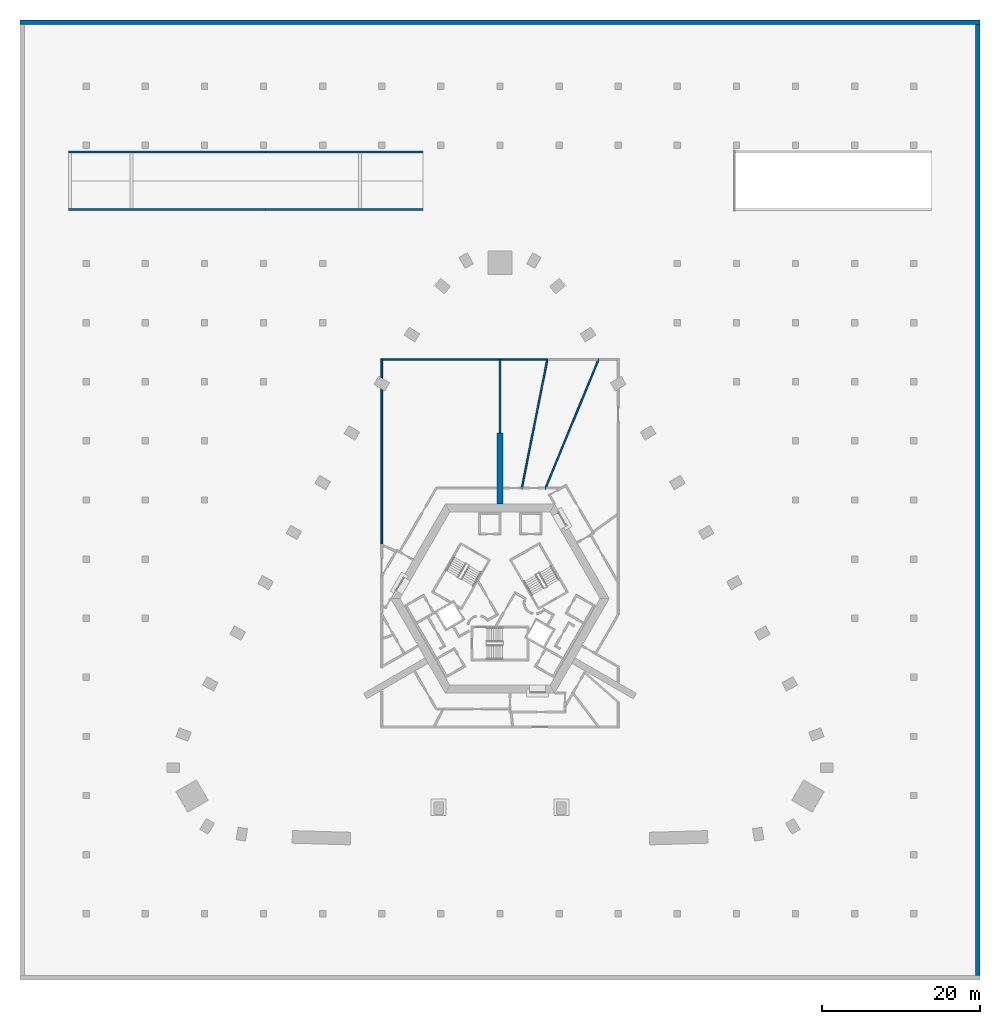
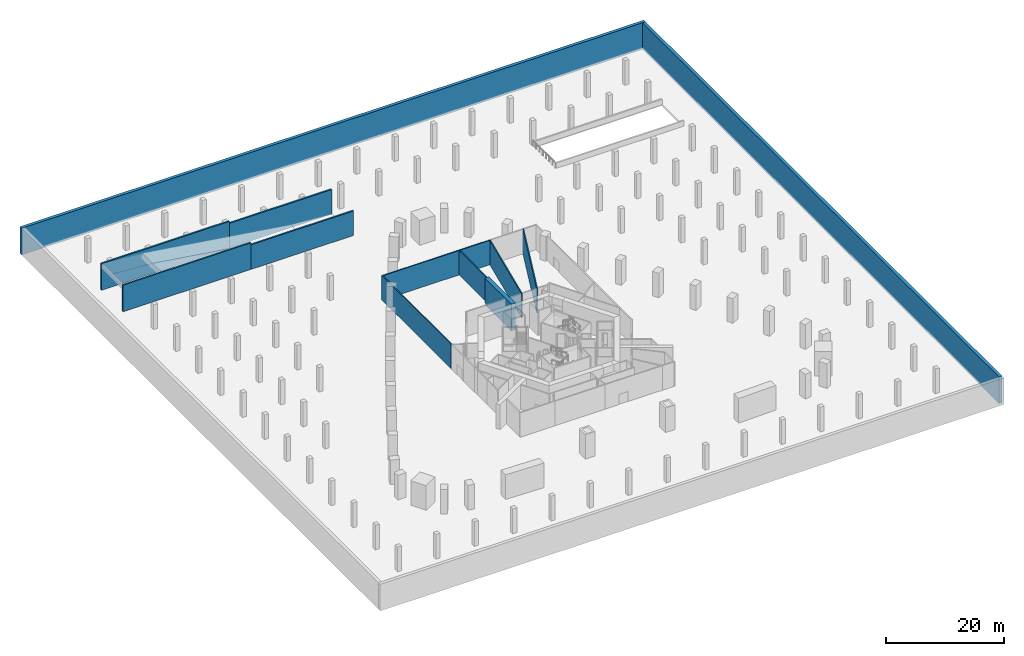
# One storey, part 7 of 12: 13 walls.
"""IFC4 building model written with IfcOpenShell, lengths in metres."""

from ifc_helpers import new_model, si_unit, direction, frame, frame_2d, origin, place, context, subcontext, project, spatial, polyline, rectangle, outline, extrude, material, layer, layer_set, type_object, element, save


model = new_model("IFC4")

# Units and contexts
model_context = context("Model", 3, precision=1e-05, world=origin(), true_north=direction((0.0, 1.0)))
body_context = subcontext(model_context, "Body", "Model", "MODEL_VIEW")
ifc_project = project(units=[si_unit("LENGTHUNIT", "METRE"), si_unit("AREAUNIT", "SQUARE_METRE"), si_unit("VOLUMEUNIT", "CUBIC_METRE"), si_unit("PLANEANGLEUNIT", "RADIAN"), si_unit("MASSUNIT", "GRAM", prefix="KILO")], contexts=[model_context])

# Site, building, storey
site_placement = place(None, origin())
site = spatial("IfcSite", under=ifc_project, at=site_placement, CompositionType="ELEMENT")
building_placement = place(site_placement, origin())
building = spatial("IfcBuilding", under=site, at=building_placement, Name="Entoto Arch Interchange Tower", CompositionType="ELEMENT")
storey_placement = place(building_placement, frame((0.0, 0.0, -11.0)))
storey = spatial("IfcBuildingStorey", under=building, at=storey_placement, Name="B2", CompositionType="ELEMENT", Elevation=-11.0)

# Walls
ifc_material_1 = material(Name="Concrete C40/50", Category="concrete")
ifc_layer_1 = layer(ifc_material_1, 0.60009765625)
ifc_layer_set_1 = layer_set([ifc_layer_1], Name="Concrete C40/50")
wall_type_1 = type_object("IfcWallType", Name="Basement retaining wall 600 C40/50", PredefinedType="SOLIDWALL", material=ifc_layer_set_1)
wall_1_placement = place(storey_placement, frame((0.0, 0.0, -0.419921875)))
element("IfcWall", 1, at=wall_1_placement, inside=storey, type_object=wall_type_1, Name="Retaining wall B2", PredefinedType="SOLIDWALL", context=body_context, shape_type="SweptSolid", body=[
    extrude(outline(polyline([(60.89990234375, 75.300048828125), (60.89990234375, 75.89990234375), (-60.89990234375, 75.89990234375), (-60.89990234375, 75.300048828125), (60.89990234375, 75.300048828125)])), origin(), (0.0, 0.0, 1.0), 5.5),
])
wall_2_placement = place(storey_placement, frame((0.0, 0.0, -0.419921875)))
element("IfcWall", 2, at=wall_2_placement, inside=storey, type_object=wall_type_1, Name="Retaining wall B2", PredefinedType="SOLIDWALL", context=body_context, shape_type="SweptSolid", body=[
    extrude(outline(polyline([(60.89990234375, -45.300048828125), (60.89990234375, 75.300048828125), (60.300048828125, 75.300048828125), (60.300048828125, -45.300048828125), (60.89990234375, -45.300048828125)])), origin(), (0.0, 0.0, 1.0), 5.5),
])
ifc_material_2 = material(Name="Concrete C60/75", Category="concrete")
ifc_layer_2 = layer(ifc_material_2, 0.800048828125)
ifc_layer_set_2 = layer_set([ifc_layer_2], Name="Concrete C60/75")
wall_type_2 = type_object("IfcWallType", Name="Buttress wall 800 C60/75", PredefinedType="SHEAR", material=ifc_layer_set_2)
wall_3_placement = place(storey_placement, frame((0.0, 14.5, -0.419921875), z_axis=(0.0, 0.0, 1.0), x_axis=(0.0, 1.0, 0.0)))
element("IfcWall", 3, at=wall_3_placement, inside=storey, type_object=wall_type_2, Name="Buttress wall N B2", PredefinedType="SHEAR", context=body_context, shape_type="SweptSolid", body=[
    extrude(rectangle(XDim=9.0, YDim=0.800048828125, at=frame_2d((4.5, 0.0))), origin(), (0.0, 0.0, 1.0), 5.5),
])
ifc_layer_3 = layer(ifc_material_1, 0.300048828125)
ifc_layer_set_3 = layer_set([ifc_layer_3], Name="Concrete C40/50")
wall_type_3 = type_object("IfcWallType", Name="Car ramp kerb wall 300 C40/50", PredefinedType="SOLIDWALL", material=ifc_layer_set_3)
for number, where, z_axis, x_axis, name in (
    (4, (-54.75, 51.85009765625, 0.0), (0.0, 0.0, 1.0), (1.0, 0.0, 0.0), "Car ramp R2 kerb wall"),
    (5, (-54.75, 59.14990234375, 0.0), (0.0, 0.0, 1.0), (1.0, 0.0, 0.0), "Car ramp R2 kerb wall"),
):
    element("IfcWall", number, at=place(storey_placement, frame(where, z_axis=z_axis, x_axis=x_axis)), inside=storey, type_object=wall_type_3, Name=name, PredefinedType="SOLIDWALL", context=body_context, shape_type="SweptSolid", body=[
        extrude(rectangle(XDim=25.0, YDim=0.300048828125, at=frame_2d((12.5, 0.0))), origin(), (0.0, 0.0, 1.0), 5.5),
    ])
for number, where, z_axis, x_axis, name in (
    (6, (-29.75, 51.85009765625, 0.0), (0.0, 0.0, 1.0), (1.0, 0.0, 0.0), "Car ramp R2 kerb wall"),
    (7, (-29.75, 59.14990234375, 0.0), (0.0, 0.0, 1.0), (1.0, 0.0, 0.0), "Car ramp R2 kerb wall"),
):
    element("IfcWall", number, at=place(storey_placement, frame(where, z_axis=z_axis, x_axis=x_axis)), inside=storey, type_object=wall_type_3, Name=name, PredefinedType="SOLIDWALL", context=body_context, shape_type="SweptSolid", body=[
        extrude(rectangle(XDim=20.0, YDim=0.300048828125, at=frame_2d((10.0, 0.0))), origin(), (0.0, 0.0, 1.0), 5.080078125),
    ])
ifc_material_3 = material(Name="Gypsum board partition on steel studs", Category="steel")
ifc_layer_4 = layer(ifc_material_3, 0.199951171875)
ifc_layer_set_4 = layer_set([ifc_layer_4], Name="Gypsum board partition on steel studs")
wall_type_4 = type_object("IfcWallType", Name="PARTITION 200", PredefinedType="PARTITIONING", material=ifc_layer_set_4)
wall_4_placement = place(storey_placement, frame((5.73291015625, 16.407958984375, 0.0), z_axis=(0.0, 0.0, 1.0), x_axis=(0.381113406353, 0.924528296754, 0.0)))
element("IfcWall", 8, at=wall_4_placement, inside=storey, type_object=wall_type_4, Name="wall:B2:p041", PredefinedType="PARTITIONING", context=body_context, shape_type="SweptSolid", body=[
    extrude(rectangle(XDim=17.829833984375, YDim=0.199951171875, at=frame_2d((8.9150390625, 0.0))), origin(), (0.0, 0.0, 1.0), 5.050048828125),
])
wall_5_placement = place(storey_placement, frame((2.7529296875, 16.402099609375, 0.0), z_axis=(0.0, 0.0, 1.0), x_axis=(0.194225601905, 0.98095688772, 0.0)))
element("IfcWall", 9, at=wall_5_placement, inside=storey, type_object=wall_type_4, Name="wall:B2:p045", PredefinedType="PARTITIONING", context=body_context, shape_type="SweptSolid", body=[
    extrude(rectangle(XDim=16.816162109375, YDim=0.199951171875, at=frame_2d((8.408203125, 0.0))), origin(), (0.0, 0.0, 1.0), 5.050048828125),
])
wall_6_placement = place(storey_placement, frame((0.0, 23.5, 0.0), z_axis=(0.0, 0.0, 1.0), x_axis=(0.0, 1.0, 0.0)))
element("IfcWall", 10, at=wall_6_placement, inside=storey, type_object=wall_type_4, Name="wall:B2:p047", PredefinedType="PARTITIONING", context=body_context, shape_type="SweptSolid", body=[
    extrude(rectangle(XDim=9.300048828125, YDim=0.199951171875, at=frame_2d((4.64990234375, 0.0))), origin(), (0.0, 0.0, 1.0), 5.050048828125),
])
wall_7_placement = place(storey_placement, frame((0.10009765625, 32.800048828125, 0.0), z_axis=(0.0, 0.0, 1.0), x_axis=(1.0, 0.0, 0.0)))
element("IfcWall", 11, at=wall_7_placement, inside=storey, type_object=wall_type_4, Name="wall:B2:p048", PredefinedType="PARTITIONING", context=body_context, shape_type="SweptSolid", body=[
    extrude(rectangle(XDim=5.7998046875, YDim=0.199951171875, at=frame_2d((2.89990234375, 0.0))), origin(), (0.0, 0.0, 1.0), 5.050048828125),
])
wall_8_placement = place(storey_placement, frame((-15.0, 9.405029296875, 0.0), z_axis=(0.0, 0.0, 1.0), x_axis=(0.0, 1.0, 0.0)))
element("IfcWall", 12, at=wall_8_placement, inside=storey, type_object=wall_type_4, Name="wall:B2:p063", PredefinedType="PARTITIONING", context=body_context, shape_type="SweptSolid", body=[
    extrude(rectangle(XDim=23.494873046875, YDim=0.199951171875, at=frame_2d((11.74755859375, 0.0))), origin(), (0.0, 0.0, 1.0), 5.050048828125),
])
wall_9_placement = place(storey_placement, frame((-14.89990234375, 32.800048828125, 0.0), z_axis=(0.0, 0.0, 1.0), x_axis=(1.0, 0.0, 0.0)))
element("IfcWall", 13, at=wall_9_placement, inside=storey, type_object=wall_type_4, Name="wall:B2:p064", PredefinedType="PARTITIONING", context=body_context, shape_type="SweptSolid", body=[
    extrude(rectangle(XDim=15.0, YDim=0.199951171875, at=frame_2d((7.5, 0.0))), origin(), (0.0, 0.0, 1.0), 5.050048828125),
])

save(model, "model.ifc")
